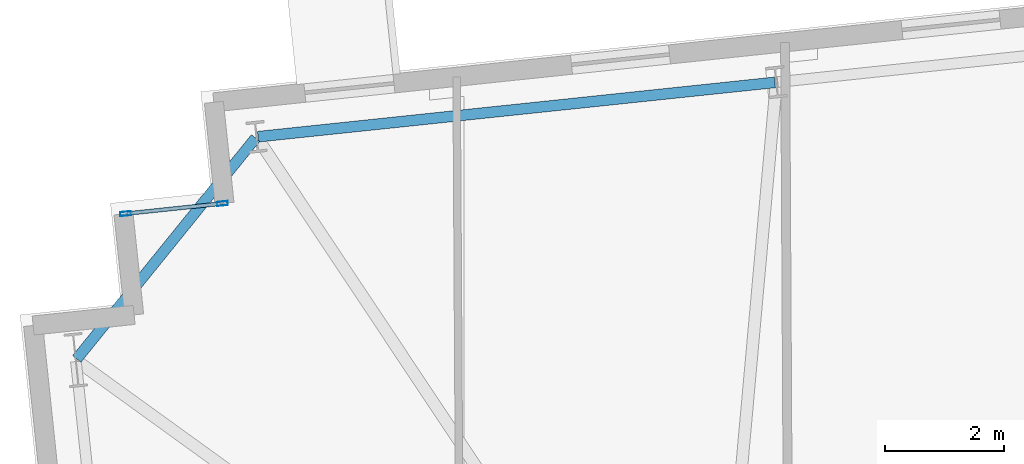
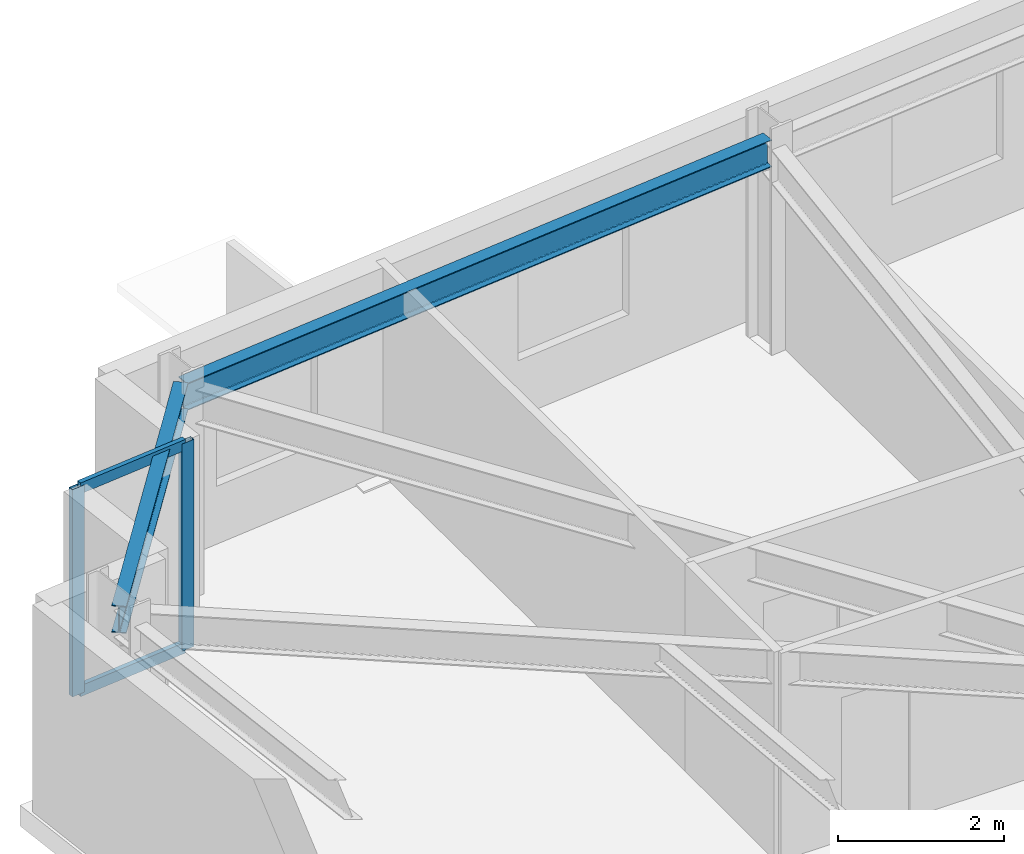
# One storey, part 8 of 18: 4 members, 2 beams, 1 element without a shape of its own.
"""IFC4 building model written with IfcOpenShell, lengths in metres."""

from ifc_helpers import new_model, si_unit, direction, frame, origin, origin_2d, place, context, subcontext, project, spatial, hollow_rectangle, i_section, extrude, material, layer, layer_set, material_profile, profile_set, type_object, element, aggregate, save


model = new_model("IFC4")

# Units and contexts
model_context = context("Model", 3, precision=1e-05, world=origin(), true_north=direction((0.0, 1.0)))
body_context = subcontext(model_context, "Body", "Model", "MODEL_VIEW")
ifc_project = project(units=[si_unit("LENGTHUNIT", "METRE"), si_unit("AREAUNIT", "SQUARE_METRE"), si_unit("VOLUMEUNIT", "CUBIC_METRE"), si_unit("PLANEANGLEUNIT", "RADIAN"), si_unit("MASSUNIT", "GRAM", prefix="KILO")], contexts=[model_context])

# Site, building, storey
site_placement = place(None, origin())
site = spatial("IfcSite", under=ifc_project, at=site_placement, CompositionType="ELEMENT")
building_placement = place(site_placement, origin())
building = spatial("IfcBuilding", under=site, at=building_placement, Name="Qobustan Lattice House", CompositionType="ELEMENT")
storey_placement = place(building_placement, frame((0.0, 0.0, 109.14990234375)))
storey = spatial("IfcBuildingStorey", under=building, at=storey_placement, Name="L30", CompositionType="ELEMENT", Elevation=109.14990234375)

# Beams
ifc_material_1 = material(Name="Steel S355", Category="steel")
ifc_material_profile_1 = material_profile(ifc_material_1, i_section(OverallWidth=0.179931640625, OverallDepth=0.39990234375, WebThickness=0.008544921875, FlangeThickness=0.013427734375, FilletRadius=0.02099609375, at=origin_2d()), Name="IPE400")
ifc_profile_set_1 = profile_set([ifc_material_profile_1], Name="Steel S355")
beam_type = type_object("IfcBeamType", Name="BM-SPD-IPE400", PredefinedType="SPANDREL", material=ifc_profile_set_1)
beam_1_placement = place(storey_placement, frame((-17.7158203125, 17.919189453125, 2.84521484375), z_axis=(-0.994521279781, -0.10453432002, 0.0), x_axis=(0.10453432002, -0.994521279781, 0.0)))
element("IfcBeam", 1, at=beam_1_placement, inside=storey, type_object=beam_type, Name="L30 perimeter spandrel N6-N7", PredefinedType="SPANDREL", context=body_context, shape_type="SweptSolid", body=[
    extrude(i_section(OverallWidth=0.179931640625, OverallDepth=0.39990234375, WebThickness=0.008544921875, FlangeThickness=0.013427734375, FilletRadius=0.02099609375, at=origin_2d()), origin(), (0.0, 0.0, 1.0), 8.69970703125),
])
beam_2_placement = place(storey_placement, frame((-26.40869140625, 16.98779296875, 2.84521484375), z_axis=(-0.629326627121, -0.777140911545, 0.0), x_axis=(0.777140911545, -0.629326627121, 0.0)))
element("IfcBeam", 2, at=beam_2_placement, inside=storey, type_object=beam_type, Name="L30 perimeter spandrel N7-W1", PredefinedType="SPANDREL", context=body_context, shape_type="SweptSolid", body=[
    extrude(i_section(OverallWidth=0.179931640625, OverallDepth=0.39990234375, WebThickness=0.008544921875, FlangeThickness=0.013427734375, FilletRadius=0.02099609375, at=origin_2d()), origin(), (0.0, 0.0, 1.0), 4.758544921875),
])

# Curtain wall, members
ifc_material_2 = material(Name="Anodised aluminium and low-E glazing", Category="aluminium")
ifc_layer = layer(ifc_material_2, 0.219970703125)
ifc_layer_set = layer_set([ifc_layer], Name="Anodised aluminium and low-E glazing")
curtain_wall_type = type_object("IfcCurtainWallType", Name="CW-FAC-01", PredefinedType="USERDEFINED", material=ifc_layer_set)
curtain_wall_placement = place(storey_placement, origin())
curtain_wall = element("IfcCurtainWall", 3, at=curtain_wall_placement, inside=storey, type_object=curtain_wall_type, Name="L30 serrated corner faceted glazing 8", ObjectType="CURTAIN WALL", PredefinedType="USERDEFINED")
ifc_material_3 = material(Name="Anodised aluminium EN AW-6063 T6", Category="aluminium")
ifc_material_profile_2 = material_profile(ifc_material_3, hollow_rectangle(XDim=0.070068359375, YDim=0.179931640625, WallThickness=0.00439453125, at=origin_2d()), Name="CWM-180x70")
ifc_profile_set_2 = profile_set([ifc_material_profile_2], Name="Anodised aluminium EN AW-6063 T6")
member_type_1 = type_object("IfcMemberType", Name="CWM-STD-180", PredefinedType="MULLION", material=ifc_profile_set_2)
member_1_placement = place(storey_placement, frame((-28.58544921875, 15.720947265625, 0.0), z_axis=(0.0, 0.0, 1.0), x_axis=(-0.104528620025, 0.994521878892, 0.0)))
member_1 = element("IfcMember", 4, at=member_1_placement, type_object=member_type_1, Name="CW-F1 mullion 1", PredefinedType="MULLION", context=body_context, shape_type="SweptSolid", body=[
    extrude(hollow_rectangle(XDim=0.070068359375, YDim=0.179931640625, WallThickness=0.00439453125, at=origin_2d()), origin(), (0.0, 0.0, 1.0), 3.045166015625),
])
member_2_placement = place(storey_placement, frame((-26.96435546875, 15.891357421875, 0.0), z_axis=(0.0, 0.0, 1.0), x_axis=(-0.104528620025, 0.994521878892, 0.0)))
member_2 = element("IfcMember", 5, at=member_2_placement, type_object=member_type_1, Name="CW-F1 mullion 2", PredefinedType="MULLION", context=body_context, shape_type="SweptSolid", body=[
    extrude(hollow_rectangle(XDim=0.070068359375, YDim=0.179931640625, WallThickness=0.00439453125, at=origin_2d()), origin(), (0.0, 0.0, 1.0), 3.045166015625),
])
ifc_material_4 = material(Name="Anodised aluminium EN AW-6063 T6", Category="aluminium")
ifc_material_profile_3 = material_profile(ifc_material_4, hollow_rectangle(XDim=0.06494140625, YDim=0.159912109375, WallThickness=0.00390625, at=origin_2d()), Name="CWT-160x65")
ifc_profile_set_3 = profile_set([ifc_material_profile_3], Name="Anodised aluminium EN AW-6063 T6")
member_type_2 = type_object("IfcMemberType", Name="CWT-HOR-160", PredefinedType="USERDEFINED", material=ifc_profile_set_3)
member_3_placement = place(storey_placement, frame((-28.55078125, 15.724609375, 0.03271484375), z_axis=(0.994520877159, 0.104538150424, 0.0), x_axis=(-0.104538150424, 0.994520877159, 0.0)))
member_3 = element("IfcMember", 6, at=member_3_placement, type_object=member_type_2, Name="CW-F1 transom 1.1", ObjectType="TRANSOM", PredefinedType="USERDEFINED", context=body_context, shape_type="SweptSolid", body=[
    extrude(hollow_rectangle(XDim=0.06494140625, YDim=0.159912109375, WallThickness=0.00390625, at=origin_2d()), origin(), (0.0, 0.0, 1.0), 1.56005859375),
])
member_4_placement = place(storey_placement, frame((-28.55078125, 15.724609375, 3.0126953125), z_axis=(0.994520877159, 0.104538150424, 0.0), x_axis=(-0.104538150424, 0.994520877159, 0.0)))
member_4 = element("IfcMember", 7, at=member_4_placement, type_object=member_type_2, Name="CW-F1 transom 1.2", ObjectType="TRANSOM", PredefinedType="USERDEFINED", context=body_context, shape_type="SweptSolid", body=[
    extrude(hollow_rectangle(XDim=0.06494140625, YDim=0.159912109375, WallThickness=0.00390625, at=origin_2d()), origin(), (0.0, 0.0, 1.0), 1.56005859375),
])
aggregate(curtain_wall, [member_1, member_2, member_3, member_4])

save(model, "model.ifc")
